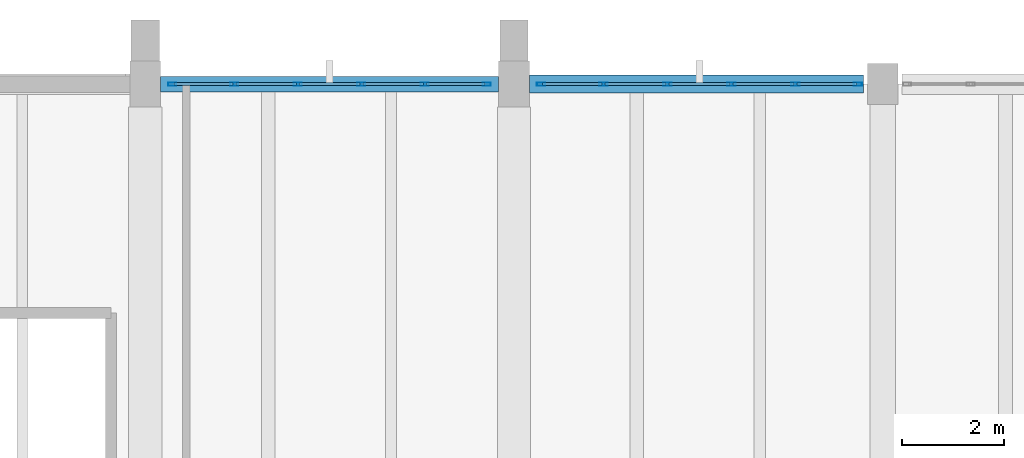
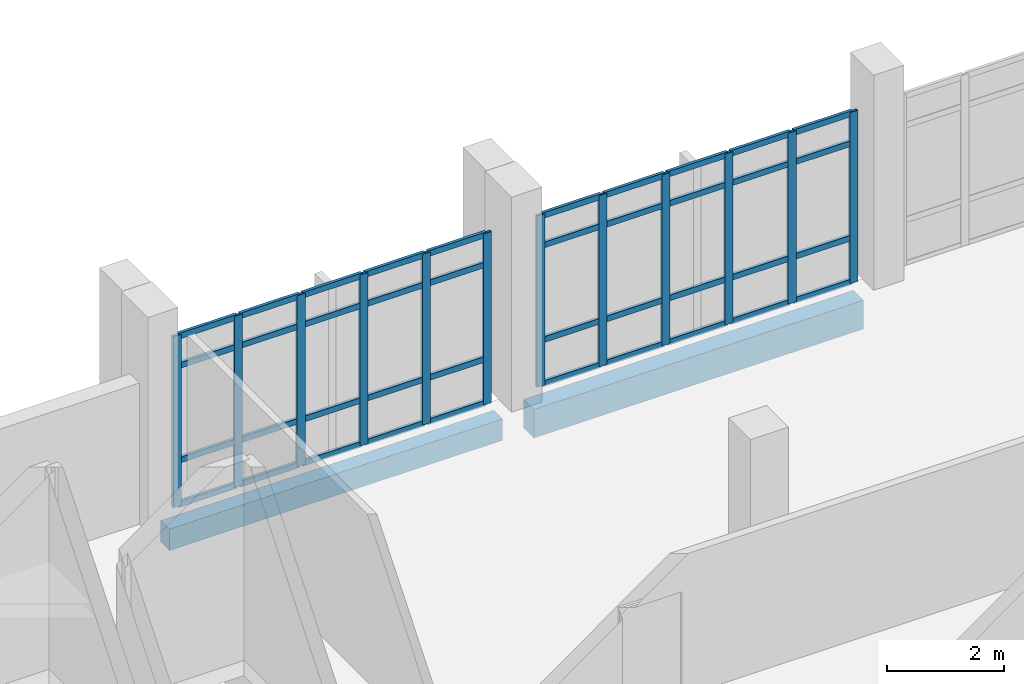
# One storey, part 74 of 116: 52 members, 2 beams, 2 elements without a shape of their own.
"""IFC4 building model written with IfcOpenShell, lengths in metres."""

import ifcopenshell
import ifcopenshell.guid

model = None  # the IFC model being written
_history = None  # IfcOwnerHistory: only IFC2X3 demands one
_inside = {}  # id of a spatial element -> (the spatial element, [elements in it])
_under = {}  # id of a project, library or spatial element -> (it, [spatial elements below it])
_declared = {}  # id of a project -> (the project, [libraries it declares])
_typed = {}  # id of a type object -> (the type object, [elements of that type])
_made_of = {}  # id of a material, layer set ... -> (it, [elements and type objects made of it])


def new_model(schema):
    """Start an empty IFC model of exactly this schema.

    Asked for "IFC4X3", IfcOpenShell would pick the latest addendum, in which some entities
    have other attributes; the version numbers below select the first issue.
    IFC2X3 requires an IfcOwnerHistory on every rooted entity: one is made here for all.
    """
    global model, _history
    if schema == "IFC4X3":
        model = ifcopenshell.file(schema_version=(4, 3, 0, 0))
    else:
        model = ifcopenshell.file(schema=schema)
    _inside.clear()
    _under.clear()
    _declared.clear()
    _typed.clear()
    _made_of.clear()
    _history = None
    if model.schema == "IFC2X3":
        org = make("IfcOrganization", Name="unknown")
        user = make(
            "IfcPersonAndOrganization",
            ThePerson=make("IfcPerson", FamilyName="unknown"),
            TheOrganization=org,
        )
        app = make(
            "IfcApplication",
            ApplicationDeveloper=org,
            Version="unknown",
            ApplicationFullName="unknown",
            ApplicationIdentifier="unknown",
        )
        _history = make(
            "IfcOwnerHistory",
            OwningUser=user,
            OwningApplication=app,
            ChangeAction="ADDED",
            CreationDate=0,
        )
    return model


def make(cls, **values):
    """One entity of the class cls with the attributes given. An attribute that is None is left unset."""
    return model.create_entity(
        cls, **{name: value for name, value in values.items() if value is not None}
    )


def rooted(cls, **values):
    """An entity with a GlobalId (a new one), such as an element, a storey or a relation."""
    return make(cls, GlobalId=ifcopenshell.guid.new(), OwnerHistory=_history, **values)


def si_unit(unit_type, name, prefix=None):
    """IfcSIUnit, for example si_unit("LENGTHUNIT", "METRE", prefix="MILLI")."""
    return make("IfcSIUnit", UnitType=unit_type, Prefix=prefix, Name=name)


def assignment(units):
    """IfcUnitAssignment: the units of a project."""
    return None if units is None else make("IfcUnitAssignment", Units=units)


def point(xyz):
    """IfcCartesianPoint."""
    return None if xyz is None else make("IfcCartesianPoint", Coordinates=xyz)


def direction(xyz):
    """IfcDirection."""
    return None if xyz is None else make("IfcDirection", DirectionRatios=xyz)


def frame(location, z_axis=None, x_axis=None):
    """IfcAxis2Placement3D, a coordinate frame: its origin and axes. An axis left out is left unset."""
    return make(
        "IfcAxis2Placement3D",
        Location=point(location),
        Axis=direction(z_axis),
        RefDirection=direction(x_axis),
    )


def frame_2d(location, x_axis=None):
    """IfcAxis2Placement2D, a coordinate frame in the plane: its origin and x axis."""
    return make(
        "IfcAxis2Placement2D", Location=point(location), RefDirection=direction(x_axis)
    )


def origin():
    """The frame at (0, 0, 0) with its axes left unset."""
    return frame((0.0, 0.0, 0.0))


def origin_2d():
    """The frame at (0, 0) in the plane with its x axis left unset."""
    return frame_2d((0.0, 0.0))


def place(relative_to, where):
    """IfcLocalPlacement: puts the frame where relative to a parent placement (None: the world)."""
    return make(
        "IfcLocalPlacement", PlacementRelTo=relative_to, RelativePlacement=where
    )


def context(
    kind, dimensions, precision=None, world=None, true_north=None, identifier=None
):
    """IfcGeometricRepresentationContext, for example the 3D "Model" context."""
    return make(
        "IfcGeometricRepresentationContext",
        ContextIdentifier=identifier,
        ContextType=kind,
        CoordinateSpaceDimension=dimensions,
        Precision=precision,
        WorldCoordinateSystem=world,
        TrueNorth=true_north,
    )


def subcontext(parent, identifier, kind, view, scale=None):
    """IfcGeometricRepresentationSubContext, for example "Body" below "Model"."""
    return make(
        "IfcGeometricRepresentationSubContext",
        ContextIdentifier=identifier,
        ContextType=kind,
        ParentContext=parent,
        TargetScale=scale,
        TargetView=view,
    )


def project(units=None, contexts=None):
    """IfcProject with its units and contexts."""
    return rooted(
        "IfcProject",
        Name="project",
        RepresentationContexts=contexts,
        UnitsInContext=assignment(units),
    )


def spatial(cls, under=None, at=None, **own):
    """A site, building, storey or space (cls), placed at a placement, below another one or the project."""
    s = rooted(cls, ObjectPlacement=at, **own)
    if under is not None:
        _under.setdefault(under.id(), (under, []))[1].append(s)
    return s


def profile(cls, at=None, kind="AREA", **sizes):
    """A parametric profile (cls). Its sizes go by their IFC names, for example OverallWidth=200.0."""
    return make(cls, ProfileType=kind, Position=at, **sizes)


def rectangle(**sizes):
    """IfcRectangleProfileDef."""
    return profile("IfcRectangleProfileDef", **sizes)


def hollow_rectangle(**sizes):
    """IfcRectangleHollowProfileDef."""
    return profile("IfcRectangleHollowProfileDef", **sizes)


def extrude(swept, where, along, depth):
    """IfcExtrudedAreaSolid: the profile swept, set in the frame where, extruded along a direction by depth."""
    return make(
        "IfcExtrudedAreaSolid",
        SweptArea=swept,
        Position=where,
        ExtrudedDirection=direction(along),
        Depth=depth,
    )


def shape(context_of_items, identifier, shape_type, items):
    """IfcShapeRepresentation: the items that make up one representation, for example the "Body"."""
    return make(
        "IfcShapeRepresentation",
        ContextOfItems=context_of_items,
        RepresentationIdentifier=identifier,
        RepresentationType=shape_type,
        Items=items,
    )


def material(Name=None, Category=None):
    """IfcMaterial."""
    return make("IfcMaterial", Name=Name, Category=Category)


def material_profile(
    of_material, cross_section, Name=None, Category=None, Priority=None
):
    """IfcMaterialProfile: a cross section and its material."""
    return make(
        "IfcMaterialProfile",
        Name=Name,
        Material=of_material,
        Profile=cross_section,
        Priority=Priority,
        Category=Category,
    )


def profile_set(profiles, Name=None, composite=None):
    """IfcMaterialProfileSet."""
    return make(
        "IfcMaterialProfileSet",
        Name=Name,
        MaterialProfiles=profiles,
        CompositeProfile=composite,
    )


def made_of(thing, what):
    """Note that an element or type object is made of a material, layer set ...; save() writes the relation."""
    if what is not None:
        _made_of.setdefault(what.id(), (what, []))[1].append(thing)
    return thing


def type_object(cls, material=None, **own):
    """A type object (cls), such as IfcWallType, which elements share."""
    return made_of(rooted(cls, **own), material)


def element(
    cls,
    number,
    at=None,
    inside=None,
    cuts=None,
    type_object=None,
    material=None,
    context=None,
    identifier="Body",
    shape_type=None,
    held_by="IfcProductDefinitionShape",
    body=None,
    shapes=None,
    **own,
):
    """One element of the class cls, such as IfcWall. Its Tag is "e" and its number.

    at: its placement. inside: the storey or other place that contains it. cuts: it is an
    opening in that element (IfcRelVoidsElement). A single representation is given by context,
    identifier, shape_type and body (its items); several are given by shapes. held_by: the class
    of the entity that holds the representations. save() writes the other relations.
    """
    e = rooted(cls, Tag="e%d" % number, ObjectPlacement=at, **own)
    if body is not None:
        shapes = [shape(context, identifier, shape_type, body)]
    if shapes is not None:
        e.Representation = make(held_by, Representations=shapes)
    if inside is not None:
        _inside.setdefault(inside.id(), (inside, []))[1].append(e)
    if cuts is not None:
        rooted(
            "IfcRelVoidsElement", RelatingBuildingElement=cuts, RelatedOpeningElement=e
        )
    if type_object is not None:
        _typed.setdefault(type_object.id(), (type_object, []))[1].append(e)
    return made_of(e, material)


def aggregate(whole, parts):
    """IfcRelAggregates: a whole, such as a stair, and the parts it consists of."""
    return rooted("IfcRelAggregates", RelatingObject=whole, RelatedObjects=parts)


def save(model, path):
    """Write the relations noted so far, then the file.

    IfcRelAggregates (storeys below a building ...), IfcRelContainedInSpatialStructure (elements
    in a storey), IfcRelDefinesByType, IfcRelAssociatesMaterial and IfcRelDeclares: one each for
    every whole, place, type object, material and project.
    """
    for whole, parts in _under.values():
        aggregate(whole, parts)
    for where, things in _inside.values():
        rooted(
            "IfcRelContainedInSpatialStructure",
            RelatedElements=things,
            RelatingStructure=where,
        )
    for kind, things in _typed.values():
        rooted("IfcRelDefinesByType", RelatedObjects=things, RelatingType=kind)
    for what, things in _made_of.values():
        rooted("IfcRelAssociatesMaterial", RelatedObjects=things, RelatingMaterial=what)
    for by, libraries in _declared.values():
        rooted("IfcRelDeclares", RelatingContext=by, RelatedDefinitions=libraries)
    model.write(path)


model = new_model("IFC4")

# Units and contexts
model_context = context("Model", 3, precision=1e-05, world=origin(), true_north=direction((0.0, 1.0)))
body_context = subcontext(model_context, "Body", "Model", "MODEL_VIEW")
ifc_project = project(units=[si_unit("LENGTHUNIT", "METRE"), si_unit("AREAUNIT", "SQUARE_METRE"), si_unit("VOLUMEUNIT", "CUBIC_METRE"), si_unit("PLANEANGLEUNIT", "RADIAN"), si_unit("MASSUNIT", "GRAM", prefix="KILO")], contexts=[model_context])

# Site, building, storey
site_placement = place(None, origin())
site = spatial("IfcSite", under=ifc_project, at=site_placement, CompositionType="ELEMENT")
building_placement = place(site_placement, origin())
building = spatial("IfcBuilding", under=site, at=building_placement, Name="Kalluvel Institute of Natural Sciences", CompositionType="ELEMENT")
storey_placement = place(building_placement, frame((0.0, 0.0, 14.39990234375)))
storey = spatial("IfcBuildingStorey", under=building, at=storey_placement, Name="L03", CompositionType="ELEMENT", Elevation=14.39990234375)

# Curtain wall, members
ifc_material_1 = material(Name="Aluminium AW-6063 T6", Category="aluminium")
curtain_wall_type = type_object("IfcCurtainWallType", Name="CW-WET-45", PredefinedType="USERDEFINED", material=ifc_material_1)
curtain_wall_1_placement = place(storey_placement, origin())
curtain_wall_1 = element("IfcCurtainWall", 1, at=curtain_wall_1_placement, inside=storey, type_object=curtain_wall_type, Name="L03 Gothic lancet curtain wall CWA-L03-X793-Y1280", ObjectType="UNITISED LANCET FACADE", PredefinedType="USERDEFINED")
ifc_material_profile_1 = material_profile(ifc_material_1, hollow_rectangle(XDim=0.06005859375, YDim=0.159912109375, WallThickness=0.00390625, at=origin_2d()), Name="CWM 60x160")
ifc_profile_set_1 = profile_set([ifc_material_profile_1], Name="Aluminium AW-6063 T6")
member_type_1 = type_object("IfcMemberType", Name="CWM-60x160", PredefinedType="MULLION", material=ifc_profile_set_1)
member_1_placement = place(storey_placement, frame((79.330078125, 128.0, 0.0), z_axis=(0.0, 0.0, 1.0), x_axis=(0.0, 1.0, 0.0)))
member_1 = element("IfcMember", 2, at=member_1_placement, type_object=member_type_1, Name="CW-01 mullion 1", PredefinedType="MULLION", context=body_context, shape_type="SweptSolid", body=[
    extrude(hollow_rectangle(XDim=0.06005859375, YDim=0.159912109375, WallThickness=0.00390625, at=origin_2d()), origin(), (0.0, 0.0, 1.0), 3.580078125),
])
member_2_placement = place(storey_placement, frame((80.5400390625, 128.0, 0.0), z_axis=(0.0, 0.0, 1.0), x_axis=(0.0, 1.0, 0.0)))
member_2 = element("IfcMember", 3, at=member_2_placement, type_object=member_type_1, Name="CW-01 mullion 2", PredefinedType="MULLION", context=body_context, shape_type="SweptSolid", body=[
    extrude(hollow_rectangle(XDim=0.06005859375, YDim=0.159912109375, WallThickness=0.00390625, at=origin_2d()), origin(), (0.0, 0.0, 1.0), 3.580078125),
])
member_3_placement = place(storey_placement, frame((81.780029296875, 128.0, 0.0), z_axis=(0.0, 0.0, 1.0), x_axis=(0.0, 1.0, 0.0)))
member_3 = element("IfcMember", 4, at=member_3_placement, type_object=member_type_1, Name="CW-01 mullion 3", PredefinedType="MULLION", context=body_context, shape_type="SweptSolid", body=[
    extrude(hollow_rectangle(XDim=0.06005859375, YDim=0.159912109375, WallThickness=0.00390625, at=origin_2d()), origin(), (0.0, 0.0, 1.0), 3.580078125),
])
member_4_placement = place(storey_placement, frame((83.02001953125, 128.0, 0.0), z_axis=(0.0, 0.0, 1.0), x_axis=(0.0, 1.0, 0.0)))
member_4 = element("IfcMember", 5, at=member_4_placement, type_object=member_type_1, Name="CW-01 mullion 4", PredefinedType="MULLION", context=body_context, shape_type="SweptSolid", body=[
    extrude(hollow_rectangle(XDim=0.06005859375, YDim=0.159912109375, WallThickness=0.00390625, at=origin_2d()), origin(), (0.0, 0.0, 1.0), 3.580078125),
])
member_5_placement = place(storey_placement, frame((84.260009765625, 128.0, 0.0), z_axis=(0.0, 0.0, 1.0), x_axis=(0.0, 1.0, 0.0)))
member_5 = element("IfcMember", 6, at=member_5_placement, type_object=member_type_1, Name="CW-01 mullion 5", PredefinedType="MULLION", context=body_context, shape_type="SweptSolid", body=[
    extrude(hollow_rectangle(XDim=0.06005859375, YDim=0.159912109375, WallThickness=0.00390625, at=origin_2d()), origin(), (0.0, 0.0, 1.0), 3.580078125),
])
member_6_placement = place(storey_placement, frame((85.469970703125, 128.0, 0.0), z_axis=(0.0, 0.0, 1.0), x_axis=(0.0, 1.0, 0.0)))
member_6 = element("IfcMember", 7, at=member_6_placement, type_object=member_type_1, Name="CW-01 mullion 6", PredefinedType="MULLION", context=body_context, shape_type="SweptSolid", body=[
    extrude(hollow_rectangle(XDim=0.06005859375, YDim=0.159912109375, WallThickness=0.00390625, at=origin_2d()), origin(), (0.0, 0.0, 1.0), 3.580078125),
])

curtain_wall_2_placement = place(storey_placement, origin())
curtain_wall_2 = element("IfcCurtainWall", 8, at=curtain_wall_2_placement, inside=storey, type_object=curtain_wall_type, Name="L03 Gothic lancet curtain wall CWA-L03-X865-Y1280", ObjectType="UNITISED LANCET FACADE", PredefinedType="USERDEFINED")
member_7_placement = place(storey_placement, frame((86.530029296875, 128.0, 0.0), z_axis=(0.0, 0.0, 1.0), x_axis=(0.0, 1.0, 0.0)))
member_7 = element("IfcMember", 9, at=member_7_placement, type_object=member_type_1, Name="CW-01 mullion 1", PredefinedType="MULLION", context=body_context, shape_type="SweptSolid", body=[
    extrude(hollow_rectangle(XDim=0.06005859375, YDim=0.159912109375, WallThickness=0.00390625, at=origin_2d()), origin(), (0.0, 0.0, 1.0), 3.580078125),
])
member_8_placement = place(storey_placement, frame((87.75, 128.0, 0.0), z_axis=(0.0, 0.0, 1.0), x_axis=(0.0, 1.0, 0.0)))
member_8 = element("IfcMember", 10, at=member_8_placement, type_object=member_type_1, Name="CW-01 mullion 2", PredefinedType="MULLION", context=body_context, shape_type="SweptSolid", body=[
    extrude(hollow_rectangle(XDim=0.06005859375, YDim=0.159912109375, WallThickness=0.00390625, at=origin_2d()), origin(), (0.0, 0.0, 1.0), 3.580078125),
])
member_9_placement = place(storey_placement, frame((89.0, 128.0, 0.0), z_axis=(0.0, 0.0, 1.0), x_axis=(0.0, 1.0, 0.0)))
member_9 = element("IfcMember", 11, at=member_9_placement, type_object=member_type_1, Name="CW-01 mullion 3", PredefinedType="MULLION", context=body_context, shape_type="SweptSolid", body=[
    extrude(hollow_rectangle(XDim=0.06005859375, YDim=0.159912109375, WallThickness=0.00390625, at=origin_2d()), origin(), (0.0, 0.0, 1.0), 3.580078125),
])
member_10_placement = place(storey_placement, frame((90.25, 128.0, 0.0), z_axis=(0.0, 0.0, 1.0), x_axis=(0.0, 1.0, 0.0)))
member_10 = element("IfcMember", 12, at=member_10_placement, type_object=member_type_1, Name="CW-01 mullion 4", PredefinedType="MULLION", context=body_context, shape_type="SweptSolid", body=[
    extrude(hollow_rectangle(XDim=0.06005859375, YDim=0.159912109375, WallThickness=0.00390625, at=origin_2d()), origin(), (0.0, 0.0, 1.0), 3.580078125),
])
member_11_placement = place(storey_placement, frame((91.5, 128.0, 0.0), z_axis=(0.0, 0.0, 1.0), x_axis=(0.0, 1.0, 0.0)))
member_11 = element("IfcMember", 13, at=member_11_placement, type_object=member_type_1, Name="CW-01 mullion 5", PredefinedType="MULLION", context=body_context, shape_type="SweptSolid", body=[
    extrude(hollow_rectangle(XDim=0.06005859375, YDim=0.159912109375, WallThickness=0.00390625, at=origin_2d()), origin(), (0.0, 0.0, 1.0), 3.580078125),
])
member_12_placement = place(storey_placement, frame((92.719970703125, 128.0, 0.0), z_axis=(0.0, 0.0, 1.0), x_axis=(0.0, 1.0, 0.0)))
member_12 = element("IfcMember", 14, at=member_12_placement, type_object=member_type_1, Name="CW-01 mullion 6", PredefinedType="MULLION", context=body_context, shape_type="SweptSolid", body=[
    extrude(hollow_rectangle(XDim=0.06005859375, YDim=0.159912109375, WallThickness=0.00390625, at=origin_2d()), origin(), (0.0, 0.0, 1.0), 3.580078125),
])

# Member
ifc_material_profile_2 = material_profile(ifc_material_1, hollow_rectangle(XDim=0.06005859375, YDim=0.1201171875, WallThickness=0.00390625, at=origin_2d()), Name="CWT 60x120")
ifc_profile_set_2 = profile_set([ifc_material_profile_2], Name="Aluminium AW-6063 T6")
member_type_2 = type_object("IfcMemberType", Name="CWT-60x120", PredefinedType="USERDEFINED", material=ifc_profile_set_2)
member_13_placement = place(storey_placement, frame((79.360107421875, 128.0, 0.030029296875), z_axis=(1.0, 0.0, 0.0), x_axis=(0.0, 1.0, 0.0)))
member_13 = element("IfcMember", 15, at=member_13_placement, type_object=member_type_2, Name="CW-01 transom 1.1", ObjectType="TRANSOM", PredefinedType="USERDEFINED", context=body_context, shape_type="SweptSolid", body=[
    extrude(hollow_rectangle(XDim=0.06005859375, YDim=0.1201171875, WallThickness=0.00390625, at=origin_2d()), origin(), (0.0, 0.0, 1.0), 1.14990234375),
])

member_14_placement = place(storey_placement, frame((79.360107421875, 128.0, 0.9501953125), z_axis=(1.0, 0.0, 0.0), x_axis=(0.0, 1.0, 0.0)))
member_14 = element("IfcMember", 16, at=member_14_placement, type_object=member_type_2, Name="CW-01 transom 1.2", ObjectType="TRANSOM", PredefinedType="USERDEFINED", context=body_context, shape_type="SweptSolid", body=[
    extrude(hollow_rectangle(XDim=0.06005859375, YDim=0.1201171875, WallThickness=0.00390625, at=origin_2d()), origin(), (0.0, 0.0, 1.0), 1.14990234375),
])

member_15_placement = place(storey_placement, frame((79.360107421875, 128.0, 2.93017578125), z_axis=(1.0, 0.0, 0.0), x_axis=(0.0, 1.0, 0.0)))
member_15 = element("IfcMember", 17, at=member_15_placement, type_object=member_type_2, Name="CW-01 transom 1.3", ObjectType="TRANSOM", PredefinedType="USERDEFINED", context=body_context, shape_type="SweptSolid", body=[
    extrude(hollow_rectangle(XDim=0.06005859375, YDim=0.1201171875, WallThickness=0.00390625, at=origin_2d()), origin(), (0.0, 0.0, 1.0), 1.14990234375),
])

member_16_placement = place(storey_placement, frame((79.360107421875, 128.0, 3.550048828125), z_axis=(1.0, 0.0, 0.0), x_axis=(0.0, 1.0, 0.0)))
member_16 = element("IfcMember", 18, at=member_16_placement, type_object=member_type_2, Name="CW-01 transom 1.4", ObjectType="TRANSOM", PredefinedType="USERDEFINED", context=body_context, shape_type="SweptSolid", body=[
    extrude(hollow_rectangle(XDim=0.06005859375, YDim=0.1201171875, WallThickness=0.00390625, at=origin_2d()), origin(), (0.0, 0.0, 1.0), 1.14990234375),
])

member_17_placement = place(storey_placement, frame((80.570068359375, 128.0, 0.030029296875), z_axis=(1.0, 0.0, 0.0), x_axis=(0.0, 1.0, 0.0)))
member_17 = element("IfcMember", 19, at=member_17_placement, type_object=member_type_2, Name="CW-01 transom 2.1", ObjectType="TRANSOM", PredefinedType="USERDEFINED", context=body_context, shape_type="SweptSolid", body=[
    extrude(hollow_rectangle(XDim=0.06005859375, YDim=0.1201171875, WallThickness=0.00390625, at=origin_2d()), origin(), (0.0, 0.0, 1.0), 1.179931640625),
])

member_18_placement = place(storey_placement, frame((80.570068359375, 128.0, 0.9501953125), z_axis=(1.0, 0.0, 0.0), x_axis=(0.0, 1.0, 0.0)))
member_18 = element("IfcMember", 20, at=member_18_placement, type_object=member_type_2, Name="CW-01 transom 2.2", ObjectType="TRANSOM", PredefinedType="USERDEFINED", context=body_context, shape_type="SweptSolid", body=[
    extrude(hollow_rectangle(XDim=0.06005859375, YDim=0.1201171875, WallThickness=0.00390625, at=origin_2d()), origin(), (0.0, 0.0, 1.0), 1.179931640625),
])

member_19_placement = place(storey_placement, frame((80.570068359375, 128.0, 2.93017578125), z_axis=(1.0, 0.0, 0.0), x_axis=(0.0, 1.0, 0.0)))
member_19 = element("IfcMember", 21, at=member_19_placement, type_object=member_type_2, Name="CW-01 transom 2.3", ObjectType="TRANSOM", PredefinedType="USERDEFINED", context=body_context, shape_type="SweptSolid", body=[
    extrude(hollow_rectangle(XDim=0.06005859375, YDim=0.1201171875, WallThickness=0.00390625, at=origin_2d()), origin(), (0.0, 0.0, 1.0), 1.179931640625),
])

member_20_placement = place(storey_placement, frame((80.570068359375, 128.0, 3.550048828125), z_axis=(1.0, 0.0, 0.0), x_axis=(0.0, 1.0, 0.0)))
member_20 = element("IfcMember", 22, at=member_20_placement, type_object=member_type_2, Name="CW-01 transom 2.4", ObjectType="TRANSOM", PredefinedType="USERDEFINED", context=body_context, shape_type="SweptSolid", body=[
    extrude(hollow_rectangle(XDim=0.06005859375, YDim=0.1201171875, WallThickness=0.00390625, at=origin_2d()), origin(), (0.0, 0.0, 1.0), 1.179931640625),
])

member_21_placement = place(storey_placement, frame((81.81005859375, 128.0, 0.030029296875), z_axis=(1.0, 0.0, 0.0), x_axis=(0.0, 1.0, 0.0)))
member_21 = element("IfcMember", 23, at=member_21_placement, type_object=member_type_2, Name="CW-01 transom 3.1", ObjectType="TRANSOM", PredefinedType="USERDEFINED", context=body_context, shape_type="SweptSolid", body=[
    extrude(hollow_rectangle(XDim=0.06005859375, YDim=0.1201171875, WallThickness=0.00390625, at=origin_2d()), origin(), (0.0, 0.0, 1.0), 1.179931640625),
])

member_22_placement = place(storey_placement, frame((81.81005859375, 128.0, 0.9501953125), z_axis=(1.0, 0.0, 0.0), x_axis=(0.0, 1.0, 0.0)))
member_22 = element("IfcMember", 24, at=member_22_placement, type_object=member_type_2, Name="CW-01 transom 3.2", ObjectType="TRANSOM", PredefinedType="USERDEFINED", context=body_context, shape_type="SweptSolid", body=[
    extrude(hollow_rectangle(XDim=0.06005859375, YDim=0.1201171875, WallThickness=0.00390625, at=origin_2d()), origin(), (0.0, 0.0, 1.0), 1.179931640625),
])

member_23_placement = place(storey_placement, frame((81.81005859375, 128.0, 2.93017578125), z_axis=(1.0, 0.0, 0.0), x_axis=(0.0, 1.0, 0.0)))
member_23 = element("IfcMember", 25, at=member_23_placement, type_object=member_type_2, Name="CW-01 transom 3.3", ObjectType="TRANSOM", PredefinedType="USERDEFINED", context=body_context, shape_type="SweptSolid", body=[
    extrude(hollow_rectangle(XDim=0.06005859375, YDim=0.1201171875, WallThickness=0.00390625, at=origin_2d()), origin(), (0.0, 0.0, 1.0), 1.179931640625),
])

member_24_placement = place(storey_placement, frame((81.81005859375, 128.0, 3.550048828125), z_axis=(1.0, 0.0, 0.0), x_axis=(0.0, 1.0, 0.0)))
member_24 = element("IfcMember", 26, at=member_24_placement, type_object=member_type_2, Name="CW-01 transom 3.4", ObjectType="TRANSOM", PredefinedType="USERDEFINED", context=body_context, shape_type="SweptSolid", body=[
    extrude(hollow_rectangle(XDim=0.06005859375, YDim=0.1201171875, WallThickness=0.00390625, at=origin_2d()), origin(), (0.0, 0.0, 1.0), 1.179931640625),
])

member_25_placement = place(storey_placement, frame((83.050048828125, 128.0, 0.030029296875), z_axis=(1.0, 0.0, 0.0), x_axis=(0.0, 1.0, 0.0)))
member_25 = element("IfcMember", 27, at=member_25_placement, type_object=member_type_2, Name="CW-01 transom 4.1", ObjectType="TRANSOM", PredefinedType="USERDEFINED", context=body_context, shape_type="SweptSolid", body=[
    extrude(hollow_rectangle(XDim=0.06005859375, YDim=0.1201171875, WallThickness=0.00390625, at=origin_2d()), origin(), (0.0, 0.0, 1.0), 1.179931640625),
])

member_26_placement = place(storey_placement, frame((83.050048828125, 128.0, 0.9501953125), z_axis=(1.0, 0.0, 0.0), x_axis=(0.0, 1.0, 0.0)))
member_26 = element("IfcMember", 28, at=member_26_placement, type_object=member_type_2, Name="CW-01 transom 4.2", ObjectType="TRANSOM", PredefinedType="USERDEFINED", context=body_context, shape_type="SweptSolid", body=[
    extrude(hollow_rectangle(XDim=0.06005859375, YDim=0.1201171875, WallThickness=0.00390625, at=origin_2d()), origin(), (0.0, 0.0, 1.0), 1.179931640625),
])

member_27_placement = place(storey_placement, frame((83.050048828125, 128.0, 2.93017578125), z_axis=(1.0, 0.0, 0.0), x_axis=(0.0, 1.0, 0.0)))
member_27 = element("IfcMember", 29, at=member_27_placement, type_object=member_type_2, Name="CW-01 transom 4.3", ObjectType="TRANSOM", PredefinedType="USERDEFINED", context=body_context, shape_type="SweptSolid", body=[
    extrude(hollow_rectangle(XDim=0.06005859375, YDim=0.1201171875, WallThickness=0.00390625, at=origin_2d()), origin(), (0.0, 0.0, 1.0), 1.179931640625),
])

member_28_placement = place(storey_placement, frame((83.050048828125, 128.0, 3.550048828125), z_axis=(1.0, 0.0, 0.0), x_axis=(0.0, 1.0, 0.0)))
member_28 = element("IfcMember", 30, at=member_28_placement, type_object=member_type_2, Name="CW-01 transom 4.4", ObjectType="TRANSOM", PredefinedType="USERDEFINED", context=body_context, shape_type="SweptSolid", body=[
    extrude(hollow_rectangle(XDim=0.06005859375, YDim=0.1201171875, WallThickness=0.00390625, at=origin_2d()), origin(), (0.0, 0.0, 1.0), 1.179931640625),
])

member_29_placement = place(storey_placement, frame((84.2900390625, 128.0, 0.030029296875), z_axis=(1.0, 0.0, 0.0), x_axis=(0.0, 1.0, 0.0)))
member_29 = element("IfcMember", 31, at=member_29_placement, type_object=member_type_2, Name="CW-01 transom 5.1", ObjectType="TRANSOM", PredefinedType="USERDEFINED", context=body_context, shape_type="SweptSolid", body=[
    extrude(hollow_rectangle(XDim=0.06005859375, YDim=0.1201171875, WallThickness=0.00390625, at=origin_2d()), origin(), (0.0, 0.0, 1.0), 1.14990234375),
])

member_30_placement = place(storey_placement, frame((84.2900390625, 128.0, 0.9501953125), z_axis=(1.0, 0.0, 0.0), x_axis=(0.0, 1.0, 0.0)))
member_30 = element("IfcMember", 32, at=member_30_placement, type_object=member_type_2, Name="CW-01 transom 5.2", ObjectType="TRANSOM", PredefinedType="USERDEFINED", context=body_context, shape_type="SweptSolid", body=[
    extrude(hollow_rectangle(XDim=0.06005859375, YDim=0.1201171875, WallThickness=0.00390625, at=origin_2d()), origin(), (0.0, 0.0, 1.0), 1.14990234375),
])

member_31_placement = place(storey_placement, frame((84.2900390625, 128.0, 2.93017578125), z_axis=(1.0, 0.0, 0.0), x_axis=(0.0, 1.0, 0.0)))
member_31 = element("IfcMember", 33, at=member_31_placement, type_object=member_type_2, Name="CW-01 transom 5.3", ObjectType="TRANSOM", PredefinedType="USERDEFINED", context=body_context, shape_type="SweptSolid", body=[
    extrude(hollow_rectangle(XDim=0.06005859375, YDim=0.1201171875, WallThickness=0.00390625, at=origin_2d()), origin(), (0.0, 0.0, 1.0), 1.14990234375),
])

member_32_placement = place(storey_placement, frame((84.2900390625, 128.0, 3.550048828125), z_axis=(1.0, 0.0, 0.0), x_axis=(0.0, 1.0, 0.0)))
member_32 = element("IfcMember", 34, at=member_32_placement, type_object=member_type_2, Name="CW-01 transom 5.4", ObjectType="TRANSOM", PredefinedType="USERDEFINED", context=body_context, shape_type="SweptSolid", body=[
    extrude(hollow_rectangle(XDim=0.06005859375, YDim=0.1201171875, WallThickness=0.00390625, at=origin_2d()), origin(), (0.0, 0.0, 1.0), 1.14990234375),
])

aggregate(curtain_wall_1, [member_1, member_2, member_3, member_4, member_5, member_6, member_13, member_14, member_15, member_16, member_17, member_18, member_19, member_20, member_21, member_22, member_23, member_24, member_25, member_26, member_27, member_28, member_29, member_30, member_31, member_32])

member_33_placement = place(storey_placement, frame((86.56005859375, 128.0, 0.030029296875), z_axis=(1.0, 0.0, 0.0), x_axis=(0.0, 1.0, 0.0)))
member_33 = element("IfcMember", 35, at=member_33_placement, type_object=member_type_2, Name="CW-01 transom 1.1", ObjectType="TRANSOM", PredefinedType="USERDEFINED", context=body_context, shape_type="SweptSolid", body=[
    extrude(hollow_rectangle(XDim=0.06005859375, YDim=0.1201171875, WallThickness=0.00390625, at=origin_2d()), origin(), (0.0, 0.0, 1.0), 1.159912109375),
])

member_34_placement = place(storey_placement, frame((86.56005859375, 128.0, 0.9501953125), z_axis=(1.0, 0.0, 0.0), x_axis=(0.0, 1.0, 0.0)))
member_34 = element("IfcMember", 36, at=member_34_placement, type_object=member_type_2, Name="CW-01 transom 1.2", ObjectType="TRANSOM", PredefinedType="USERDEFINED", context=body_context, shape_type="SweptSolid", body=[
    extrude(hollow_rectangle(XDim=0.06005859375, YDim=0.1201171875, WallThickness=0.00390625, at=origin_2d()), origin(), (0.0, 0.0, 1.0), 1.159912109375),
])

member_35_placement = place(storey_placement, frame((86.56005859375, 128.0, 2.93017578125), z_axis=(1.0, 0.0, 0.0), x_axis=(0.0, 1.0, 0.0)))
member_35 = element("IfcMember", 37, at=member_35_placement, type_object=member_type_2, Name="CW-01 transom 1.3", ObjectType="TRANSOM", PredefinedType="USERDEFINED", context=body_context, shape_type="SweptSolid", body=[
    extrude(hollow_rectangle(XDim=0.06005859375, YDim=0.1201171875, WallThickness=0.00390625, at=origin_2d()), origin(), (0.0, 0.0, 1.0), 1.159912109375),
])

member_36_placement = place(storey_placement, frame((86.56005859375, 128.0, 3.550048828125), z_axis=(1.0, 0.0, 0.0), x_axis=(0.0, 1.0, 0.0)))
member_36 = element("IfcMember", 38, at=member_36_placement, type_object=member_type_2, Name="CW-01 transom 1.4", ObjectType="TRANSOM", PredefinedType="USERDEFINED", context=body_context, shape_type="SweptSolid", body=[
    extrude(hollow_rectangle(XDim=0.06005859375, YDim=0.1201171875, WallThickness=0.00390625, at=origin_2d()), origin(), (0.0, 0.0, 1.0), 1.159912109375),
])

member_37_placement = place(storey_placement, frame((87.780029296875, 128.0, 0.030029296875), z_axis=(1.0, 0.0, 0.0), x_axis=(0.0, 1.0, 0.0)))
member_37 = element("IfcMember", 39, at=member_37_placement, type_object=member_type_2, Name="CW-01 transom 2.1", ObjectType="TRANSOM", PredefinedType="USERDEFINED", context=body_context, shape_type="SweptSolid", body=[
    extrude(hollow_rectangle(XDim=0.06005859375, YDim=0.1201171875, WallThickness=0.00390625, at=origin_2d()), origin(), (0.0, 0.0, 1.0), 1.18994140625),
])

member_38_placement = place(storey_placement, frame((87.780029296875, 128.0, 0.9501953125), z_axis=(1.0, 0.0, 0.0), x_axis=(0.0, 1.0, 0.0)))
member_38 = element("IfcMember", 40, at=member_38_placement, type_object=member_type_2, Name="CW-01 transom 2.2", ObjectType="TRANSOM", PredefinedType="USERDEFINED", context=body_context, shape_type="SweptSolid", body=[
    extrude(hollow_rectangle(XDim=0.06005859375, YDim=0.1201171875, WallThickness=0.00390625, at=origin_2d()), origin(), (0.0, 0.0, 1.0), 1.18994140625),
])

member_39_placement = place(storey_placement, frame((87.780029296875, 128.0, 2.93017578125), z_axis=(1.0, 0.0, 0.0), x_axis=(0.0, 1.0, 0.0)))
member_39 = element("IfcMember", 41, at=member_39_placement, type_object=member_type_2, Name="CW-01 transom 2.3", ObjectType="TRANSOM", PredefinedType="USERDEFINED", context=body_context, shape_type="SweptSolid", body=[
    extrude(hollow_rectangle(XDim=0.06005859375, YDim=0.1201171875, WallThickness=0.00390625, at=origin_2d()), origin(), (0.0, 0.0, 1.0), 1.18994140625),
])

member_40_placement = place(storey_placement, frame((87.780029296875, 128.0, 3.550048828125), z_axis=(1.0, 0.0, 0.0), x_axis=(0.0, 1.0, 0.0)))
member_40 = element("IfcMember", 42, at=member_40_placement, type_object=member_type_2, Name="CW-01 transom 2.4", ObjectType="TRANSOM", PredefinedType="USERDEFINED", context=body_context, shape_type="SweptSolid", body=[
    extrude(hollow_rectangle(XDim=0.06005859375, YDim=0.1201171875, WallThickness=0.00390625, at=origin_2d()), origin(), (0.0, 0.0, 1.0), 1.18994140625),
])

member_41_placement = place(storey_placement, frame((89.030029296875, 128.0, 0.030029296875), z_axis=(1.0, 0.0, 0.0), x_axis=(0.0, 1.0, 0.0)))
member_41 = element("IfcMember", 43, at=member_41_placement, type_object=member_type_2, Name="CW-01 transom 3.1", ObjectType="TRANSOM", PredefinedType="USERDEFINED", context=body_context, shape_type="SweptSolid", body=[
    extrude(hollow_rectangle(XDim=0.06005859375, YDim=0.1201171875, WallThickness=0.00390625, at=origin_2d()), origin(), (0.0, 0.0, 1.0), 1.18994140625),
])

member_42_placement = place(storey_placement, frame((89.030029296875, 128.0, 0.9501953125), z_axis=(1.0, 0.0, 0.0), x_axis=(0.0, 1.0, 0.0)))
member_42 = element("IfcMember", 44, at=member_42_placement, type_object=member_type_2, Name="CW-01 transom 3.2", ObjectType="TRANSOM", PredefinedType="USERDEFINED", context=body_context, shape_type="SweptSolid", body=[
    extrude(hollow_rectangle(XDim=0.06005859375, YDim=0.1201171875, WallThickness=0.00390625, at=origin_2d()), origin(), (0.0, 0.0, 1.0), 1.18994140625),
])

member_43_placement = place(storey_placement, frame((89.030029296875, 128.0, 2.93017578125), z_axis=(1.0, 0.0, 0.0), x_axis=(0.0, 1.0, 0.0)))
member_43 = element("IfcMember", 45, at=member_43_placement, type_object=member_type_2, Name="CW-01 transom 3.3", ObjectType="TRANSOM", PredefinedType="USERDEFINED", context=body_context, shape_type="SweptSolid", body=[
    extrude(hollow_rectangle(XDim=0.06005859375, YDim=0.1201171875, WallThickness=0.00390625, at=origin_2d()), origin(), (0.0, 0.0, 1.0), 1.18994140625),
])

member_44_placement = place(storey_placement, frame((89.030029296875, 128.0, 3.550048828125), z_axis=(1.0, 0.0, 0.0), x_axis=(0.0, 1.0, 0.0)))
member_44 = element("IfcMember", 46, at=member_44_placement, type_object=member_type_2, Name="CW-01 transom 3.4", ObjectType="TRANSOM", PredefinedType="USERDEFINED", context=body_context, shape_type="SweptSolid", body=[
    extrude(hollow_rectangle(XDim=0.06005859375, YDim=0.1201171875, WallThickness=0.00390625, at=origin_2d()), origin(), (0.0, 0.0, 1.0), 1.18994140625),
])

member_45_placement = place(storey_placement, frame((90.280029296875, 128.0, 0.030029296875), z_axis=(1.0, 0.0, 0.0), x_axis=(0.0, 1.0, 0.0)))
member_45 = element("IfcMember", 47, at=member_45_placement, type_object=member_type_2, Name="CW-01 transom 4.1", ObjectType="TRANSOM", PredefinedType="USERDEFINED", context=body_context, shape_type="SweptSolid", body=[
    extrude(hollow_rectangle(XDim=0.06005859375, YDim=0.1201171875, WallThickness=0.00390625, at=origin_2d()), origin(), (0.0, 0.0, 1.0), 1.18994140625),
])

member_46_placement = place(storey_placement, frame((90.280029296875, 128.0, 0.9501953125), z_axis=(1.0, 0.0, 0.0), x_axis=(0.0, 1.0, 0.0)))
member_46 = element("IfcMember", 48, at=member_46_placement, type_object=member_type_2, Name="CW-01 transom 4.2", ObjectType="TRANSOM", PredefinedType="USERDEFINED", context=body_context, shape_type="SweptSolid", body=[
    extrude(hollow_rectangle(XDim=0.06005859375, YDim=0.1201171875, WallThickness=0.00390625, at=origin_2d()), origin(), (0.0, 0.0, 1.0), 1.18994140625),
])

member_47_placement = place(storey_placement, frame((90.280029296875, 128.0, 2.93017578125), z_axis=(1.0, 0.0, 0.0), x_axis=(0.0, 1.0, 0.0)))
member_47 = element("IfcMember", 49, at=member_47_placement, type_object=member_type_2, Name="CW-01 transom 4.3", ObjectType="TRANSOM", PredefinedType="USERDEFINED", context=body_context, shape_type="SweptSolid", body=[
    extrude(hollow_rectangle(XDim=0.06005859375, YDim=0.1201171875, WallThickness=0.00390625, at=origin_2d()), origin(), (0.0, 0.0, 1.0), 1.18994140625),
])

member_48_placement = place(storey_placement, frame((90.280029296875, 128.0, 3.550048828125), z_axis=(1.0, 0.0, 0.0), x_axis=(0.0, 1.0, 0.0)))
member_48 = element("IfcMember", 50, at=member_48_placement, type_object=member_type_2, Name="CW-01 transom 4.4", ObjectType="TRANSOM", PredefinedType="USERDEFINED", context=body_context, shape_type="SweptSolid", body=[
    extrude(hollow_rectangle(XDim=0.06005859375, YDim=0.1201171875, WallThickness=0.00390625, at=origin_2d()), origin(), (0.0, 0.0, 1.0), 1.18994140625),
])

member_49_placement = place(storey_placement, frame((91.530029296875, 128.0, 0.030029296875), z_axis=(1.0, 0.0, 0.0), x_axis=(0.0, 1.0, 0.0)))
member_49 = element("IfcMember", 51, at=member_49_placement, type_object=member_type_2, Name="CW-01 transom 5.1", ObjectType="TRANSOM", PredefinedType="USERDEFINED", context=body_context, shape_type="SweptSolid", body=[
    extrude(hollow_rectangle(XDim=0.06005859375, YDim=0.1201171875, WallThickness=0.00390625, at=origin_2d()), origin(), (0.0, 0.0, 1.0), 1.159912109375),
])

member_50_placement = place(storey_placement, frame((91.530029296875, 128.0, 0.9501953125), z_axis=(1.0, 0.0, 0.0), x_axis=(0.0, 1.0, 0.0)))
member_50 = element("IfcMember", 52, at=member_50_placement, type_object=member_type_2, Name="CW-01 transom 5.2", ObjectType="TRANSOM", PredefinedType="USERDEFINED", context=body_context, shape_type="SweptSolid", body=[
    extrude(hollow_rectangle(XDim=0.06005859375, YDim=0.1201171875, WallThickness=0.00390625, at=origin_2d()), origin(), (0.0, 0.0, 1.0), 1.159912109375),
])

member_51_placement = place(storey_placement, frame((91.530029296875, 128.0, 2.93017578125), z_axis=(1.0, 0.0, 0.0), x_axis=(0.0, 1.0, 0.0)))
member_51 = element("IfcMember", 53, at=member_51_placement, type_object=member_type_2, Name="CW-01 transom 5.3", ObjectType="TRANSOM", PredefinedType="USERDEFINED", context=body_context, shape_type="SweptSolid", body=[
    extrude(hollow_rectangle(XDim=0.06005859375, YDim=0.1201171875, WallThickness=0.00390625, at=origin_2d()), origin(), (0.0, 0.0, 1.0), 1.159912109375),
])

member_52_placement = place(storey_placement, frame((91.530029296875, 128.0, 3.550048828125), z_axis=(1.0, 0.0, 0.0), x_axis=(0.0, 1.0, 0.0)))
member_52 = element("IfcMember", 54, at=member_52_placement, type_object=member_type_2, Name="CW-01 transom 5.4", ObjectType="TRANSOM", PredefinedType="USERDEFINED", context=body_context, shape_type="SweptSolid", body=[
    extrude(hollow_rectangle(XDim=0.06005859375, YDim=0.1201171875, WallThickness=0.00390625, at=origin_2d()), origin(), (0.0, 0.0, 1.0), 1.159912109375),
])

aggregate(curtain_wall_2, [member_7, member_8, member_9, member_10, member_11, member_12, member_33, member_34, member_35, member_36, member_37, member_38, member_39, member_40, member_41, member_42, member_43, member_44, member_45, member_46, member_47, member_48, member_49, member_50, member_51, member_52])

# Beams
ifc_material_2 = material(Name="Concrete M40", Category="concrete")
ifc_material_profile_3 = material_profile(ifc_material_2, rectangle(XDim=0.300048828125, YDim=0.449951171875, at=origin_2d()), Name="RCB 300x450")
ifc_profile_set_3 = profile_set([ifc_material_profile_3], Name="Concrete M40")
beam_type_1 = type_object("IfcBeamType", Name="SP-RC300x450", PredefinedType="SPANDREL", material=ifc_profile_set_3)
beam_1_placement = place(storey_placement, frame((79.10009765625, 128.0, -0.544921875), z_axis=(1.0, 0.0, 0.0), x_axis=(0.0, 1.0, 0.0)))
element("IfcBeam", 55, at=beam_1_placement, inside=storey, type_object=beam_type_1, Name="L03 girder GIR-L03-EW-X788-Y1280", PredefinedType="SPANDREL", context=body_context, shape_type="SweptSolid", body=[
    extrude(rectangle(XDim=0.300048828125, YDim=0.449951171875, at=origin_2d()), origin(), (0.0, 0.0, 1.0), 6.599853515625),
])
ifc_material_profile_4 = material_profile(ifc_material_2, rectangle(XDim=0.35009765625, YDim=0.60009765625, at=origin_2d()), Name="RCB 350x600")
ifc_profile_set_4 = profile_set([ifc_material_profile_4], Name="Concrete M40")
beam_type_2 = type_object("IfcBeamType", Name="SP-RC350x600", PredefinedType="SPANDREL", material=ifc_profile_set_4)
beam_2_placement = place(storey_placement, frame((86.300048828125, 128.0, -0.619873046875), z_axis=(1.0, 0.0, 0.0), x_axis=(0.0, 1.0, 0.0)))
element("IfcBeam", 56, at=beam_2_placement, inside=storey, type_object=beam_type_2, Name="L03 girder GIR-L03-EW-X860-Y1280", PredefinedType="SPANDREL", context=body_context, shape_type="SweptSolid", body=[
    extrude(rectangle(XDim=0.35009765625, YDim=0.60009765625, at=origin_2d()), origin(), (0.0, 0.0, 1.0), 6.52490234375),
])

save(model, "model.ifc")
